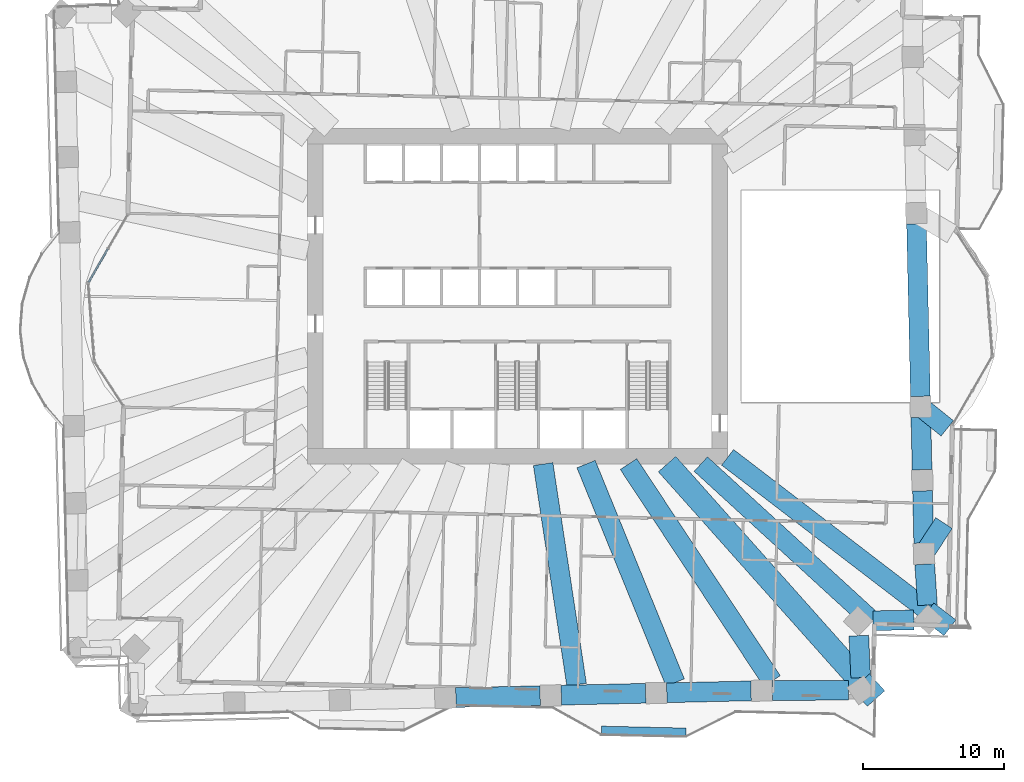
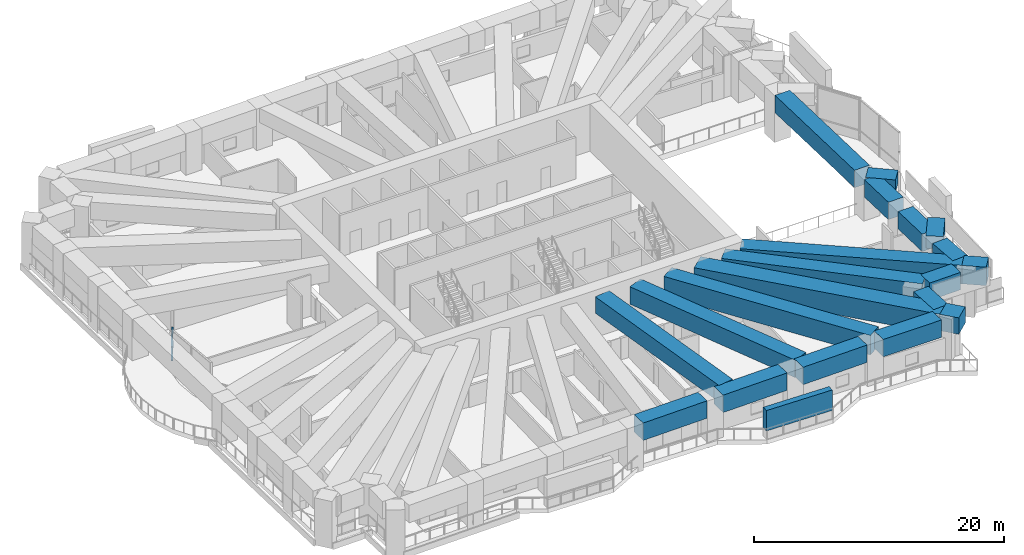
# One storey, part 3 of 20: 20 beams, 3 members, 1 element without a shape of its own.
"""IFC4 building model written with IfcOpenShell, lengths in metres."""

from ifc_helpers import new_model, si_unit, direction, frame, origin, origin_2d, place, context, subcontext, project, spatial, rectangle, extrude, material, material_profile, profile_set, type_object, element, aggregate, save


model = new_model("IFC4")

# Units and contexts
model_context = context("Model", 3, precision=1e-05, world=origin(), true_north=direction((0.0, 1.0)))
body_context = subcontext(model_context, "Body", "Model", "MODEL_VIEW")
ifc_project = project(units=[si_unit("LENGTHUNIT", "METRE"), si_unit("AREAUNIT", "SQUARE_METRE"), si_unit("VOLUMEUNIT", "CUBIC_METRE"), si_unit("PLANEANGLEUNIT", "RADIAN"), si_unit("MASSUNIT", "GRAM", prefix="KILO")], contexts=[model_context])

# Site, building, storey
site_placement = place(None, origin())
site = spatial("IfcSite", under=ifc_project, at=site_placement, CompositionType="ELEMENT")
building_placement = place(site_placement, origin())
building = spatial("IfcBuilding", under=site, at=building_placement, Name="Mangrove Gate Tower", CompositionType="ELEMENT")
storey_placement = place(building_placement, frame((0.0, 0.0, 52.10009765625)))
storey = spatial("IfcBuildingStorey", under=building, at=storey_placement, Name="L12", CompositionType="ELEMENT", Elevation=52.10009765625)

# Member
ifc_material_1 = material(Name="Planting on aluminium trellis", Category="aluminium")
ifc_material_profile_1 = material_profile(ifc_material_1, rectangle(XDim=0.550048828125, YDim=2.0, at=origin_2d()))
ifc_profile_set_1 = profile_set([ifc_material_profile_1], Name="Planting on aluminium trellis")
member_type_1 = type_object("IfcMemberType", Name="Balcony greenery screen 550x2000", PredefinedType="USERDEFINED", material=ifc_profile_set_1)
member_1_placement = place(storey_placement, frame((5.93994140625, -30.77099609375, 1.7998046875), z_axis=(0.999743178102, -0.022662255828, 0.0), x_axis=(0.022662255828, 0.999743178102, 0.0)))
element("IfcMember", 1, at=member_1_placement, inside=storey, type_object=member_type_1, Name="GREEN SCREEN L12 S1.1", ObjectType="PLANTING", PredefinedType="USERDEFINED", context=body_context, shape_type="SweptSolid", body=[
    extrude(rectangle(XDim=0.550048828125, YDim=2.0, at=origin_2d()), origin(), (0.0, 0.0, 1.0), 6.00048828125),
])

# Curtain wall, members
ifc_material_2 = material(Name="Aluminium and glass curtain wall", Category="aluminium")
curtain_wall_type = type_object("IfcCurtainWallType", Name="Sky-lounge glazing wall", PredefinedType="NOTDEFINED", material=ifc_material_2)
curtain_wall_placement = place(storey_placement, origin())
curtain_wall = element("IfcCurtainWall", 2, at=curtain_wall_placement, inside=storey, type_object=curtain_wall_type, Name="Sky-lounge glazing W9f1", PredefinedType="NOTDEFINED")
ifc_material_3 = material(Name="Aluminium alloy 6063-T6", Category="aluminium")
ifc_material_profile_2 = material_profile(ifc_material_3, rectangle(XDim=0.06005859375, YDim=0.139892578125, at=origin_2d()))
ifc_profile_set_2 = profile_set([ifc_material_profile_2], Name="Aluminium alloy 6063-T6")
member_type_2 = type_object("IfcMemberType", Name="Sky-lounge glazing transom 60x140", PredefinedType="USERDEFINED", material=ifc_profile_set_2)
member_2_placement = place(storey_placement, frame((-29.082275390625, 3.3681640625, 1.0), z_axis=(-0.500426524989, -0.865779009382, 0.0), x_axis=(0.0, 0.0, 1.0)))
member_2 = element("IfcMember", 3, at=member_2_placement, type_object=member_type_2, Name="CWK transom 2.2", ObjectType="TRANSOM", PredefinedType="USERDEFINED", context=body_context, shape_type="SweptSolid", body=[
    extrude(rectangle(XDim=0.06005859375, YDim=0.139892578125, at=origin_2d()), origin(), (0.0, 0.0, 1.0), 2.73095703125),
])
member_3_placement = place(storey_placement, frame((-29.082275390625, 3.3681640625, 2.31982421875), z_axis=(-0.500426524989, -0.865779009382, 0.0), x_axis=(0.0, 0.0, 1.0)))
member_3 = element("IfcMember", 4, at=member_3_placement, type_object=member_type_2, Name="CWK transom 2.3", ObjectType="TRANSOM", PredefinedType="USERDEFINED", context=body_context, shape_type="SweptSolid", body=[
    extrude(rectangle(XDim=0.06005859375, YDim=0.139892578125, at=origin_2d()), origin(), (0.0, 0.0, 1.0), 2.73095703125),
])
aggregate(curtain_wall, [member_2, member_3])

# Beams
ifc_material_4 = material(Name="Concrete C70/85", Category="concrete")
ifc_material_profile_3 = material_profile(ifc_material_4, rectangle(XDim=1.39990234375, YDim=1.199951171875, at=origin_2d()))
ifc_profile_set_3 = profile_set([ifc_material_profile_3], Name="Concrete C70/85")
beam_type_1 = type_object("IfcBeamType", Name="Transfer girder RC 1400x1200 C70/85", PredefinedType="BEAM", material=ifc_profile_set_3)
beam_1_placement = place(storey_placement, frame((28.834228515625, -18.256103515625, 3.449951171875), z_axis=(0.548450833454, 0.836182804944, 0.0), x_axis=(-0.836182804944, 0.548450833454, 0.0)))
element("IfcBeam", 5, at=beam_1_placement, inside=storey, type_object=beam_type_1, Name="Transfer edge girder L12 15", PredefinedType="BEAM", context=body_context, shape_type="SweptSolid", body=[
    extrude(rectangle(XDim=1.39990234375, YDim=1.199951171875, at=origin_2d()), origin(), (0.0, 0.0, 1.0), 2.59375),
])
beam_2_placement = place(storey_placement, frame((28.59814453125, -7.842041015625, 3.449951171875), z_axis=(0.778557306126, -0.627573518465, 0.0), x_axis=(0.627573518465, 0.778557306126, 0.0)))
element("IfcBeam", 6, at=beam_2_placement, inside=storey, type_object=beam_type_1, Name="Transfer edge girder L12 16", PredefinedType="BEAM", context=body_context, shape_type="SweptSolid", body=[
    extrude(rectangle(XDim=1.39990234375, YDim=1.199951171875, at=origin_2d()), origin(), (0.0, 0.0, 1.0), 2.427001953125),
])
ifc_material_5 = material(Name="Concrete C70/85", Category="concrete")
ifc_material_profile_4 = material_profile(ifc_material_5, rectangle(XDim=1.39990234375, YDim=1.60009765625, at=origin_2d()))
ifc_profile_set_4 = profile_set([ifc_material_profile_4], Name="Concrete C70/85")
beam_type_2 = type_object("IfcBeamType", Name="Transfer girder RC 1400x1600 C70/85", PredefinedType="BEAM", material=ifc_profile_set_4)
beam_3_placement = place(storey_placement, frame((1.807373046875, -11.89990234375, 3.25), z_axis=(0.150158738185, -0.988661900422, 0.0), x_axis=(0.988661900422, 0.150158738185, 0.0)))
element("IfcBeam", 7, at=beam_3_placement, inside=storey, type_object=beam_type_2, Name="Transfer girder L12 09", PredefinedType="BEAM", context=body_context, shape_type="SweptSolid", body=[
    extrude(rectangle(XDim=1.39990234375, YDim=1.60009765625, at=origin_2d()), origin(), (0.0, 0.0, 1.0), 15.841064453125),
])
ifc_material_6 = material(Name="Concrete C70/85", Category="concrete")
ifc_material_profile_5 = material_profile(ifc_material_6, rectangle(XDim=1.39990234375, YDim=1.699951171875, at=origin_2d()))
ifc_profile_set_5 = profile_set([ifc_material_profile_5], Name="Concrete C70/85")
beam_type_3 = type_object("IfcBeamType", Name="Transfer girder RC 1400x1700 C70/85", PredefinedType="BEAM", material=ifc_profile_set_5)
for number, where, z_axis, x_axis, name in (
    (8, (-4.38525390625, -28.47021484375, 3.199951171875), (0.999741919763, 0.022717699466, 0.0), (-0.022717699466, 0.999741919763, 0.0), "Transfer ring girder L12 08"),
    (9, (3.098876953125, -28.300048828125, 3.199951171875), (0.999742845253, 0.022676934643, 0.0), (-0.022676934643, 0.999742845253, 0.0), "Transfer ring girder L12 09"),
):
    element("IfcBeam", number, at=place(storey_placement, frame(where, z_axis=z_axis, x_axis=x_axis)), inside=storey, type_object=beam_type_3, Name=name, PredefinedType="BEAM", context=body_context, shape_type="SweptSolid", body=[
        extrude(rectangle(XDim=1.39990234375, YDim=1.699951171875, at=origin_2d()), origin(), (0.0, 0.0, 1.0), 5.98583984375),
    ])
beam_4_placement = place(storey_placement, frame((10.582763671875, -28.130126953125, 3.199951171875), z_axis=(0.999741835545, 0.022721405353, 0.0), x_axis=(-0.022721405353, 0.999741835545, 0.0)))
element("IfcBeam", 10, at=beam_4_placement, inside=storey, type_object=beam_type_3, Name="Transfer ring girder L12 10", PredefinedType="BEAM", context=body_context, shape_type="SweptSolid", body=[
    extrude(rectangle(XDim=1.39990234375, YDim=1.699951171875, at=origin_2d()), origin(), (0.0, 0.0, 1.0), 5.98486328125),
])
beam_5_placement = place(storey_placement, frame((18.066162109375, -27.9736328125, 3.199951171875), z_axis=(0.99998897546, 0.004695631815, 0.0), x_axis=(-0.004695631815, 0.99998897546, 0.0)))
element("IfcBeam", 11, at=beam_5_placement, inside=storey, type_object=beam_type_3, Name="Transfer ring girder L12 11", PredefinedType="BEAM", context=body_context, shape_type="SweptSolid", body=[
    extrude(rectangle(XDim=1.39990234375, YDim=1.699951171875, at=origin_2d()), origin(), (0.0, 0.0, 1.0), 5.4072265625),
])
beam_6_placement = place(storey_placement, frame((24.345703125, -27.056396484375, 3.199951171875), z_axis=(-0.045752937925, 0.998952786007, 0.0), x_axis=(-0.998952786007, -0.045752937925, 0.0)))
element("IfcBeam", 12, at=beam_6_placement, inside=storey, type_object=beam_type_3, Name="Transfer ring girder L12 12", PredefinedType="BEAM", context=body_context, shape_type="SweptSolid", body=[
    extrude(rectangle(XDim=1.39990234375, YDim=1.699951171875, at=origin_2d()), origin(), (0.0, 0.0, 1.0), 2.98291015625),
])
beam_7_placement = place(storey_placement, frame((25.219970703125, -23.01904296875, 3.199951171875), z_axis=(0.999788078566, 0.020586353685, 0.0), x_axis=(-0.020586353685, 0.999788078566, 0.0)))
element("IfcBeam", 13, at=beam_7_placement, inside=storey, type_object=beam_type_3, Name="Transfer ring girder L12 13", PredefinedType="BEAM", context=body_context, shape_type="SweptSolid", body=[
    extrude(rectangle(XDim=1.39990234375, YDim=1.699951171875, at=origin_2d()), origin(), (0.0, 0.0, 1.0), 2.893798828125),
])
beam_8_placement = place(storey_placement, frame((29.08056640625, -21.904541015625, 3.199951171875), z_axis=(-0.067377693501, 0.997727541175, 0.0), x_axis=(-0.997727541175, -0.067377693501, 0.0)))
element("IfcBeam", 14, at=beam_8_placement, inside=storey, type_object=beam_type_3, Name="Transfer ring girder L12 14", PredefinedType="BEAM", context=body_context, shape_type="SweptSolid", body=[
    extrude(rectangle(XDim=1.39990234375, YDim=1.699951171875, at=origin_2d()), origin(), (0.0, 0.0, 1.0), 2.906005859375),
])
beam_9_placement = place(storey_placement, frame((28.817138671875, -17.50634765625, 3.199951171875), z_axis=(-0.022646633415, 0.99974353211, 0.0), x_axis=(-0.99974353211, -0.022646633415, 0.0)))
element("IfcBeam", 15, at=beam_9_placement, inside=storey, type_object=beam_type_3, Name="Transfer ring girder L12 15", PredefinedType="BEAM", context=body_context, shape_type="SweptSolid", body=[
    extrude(rectangle(XDim=1.39990234375, YDim=1.699951171875, at=origin_2d()), origin(), (0.0, 0.0, 1.0), 3.70849609375),
])
beam_10_placement = place(storey_placement, frame((28.69921875, -12.299072265625, 3.199951171875), z_axis=(-0.022648124032, 0.999743498342, 0.0), x_axis=(-0.999743498342, -0.022648124032, 0.0)))
element("IfcBeam", 16, at=beam_10_placement, inside=storey, type_object=beam_type_3, Name="Transfer ring girder L12 16", PredefinedType="BEAM", context=body_context, shape_type="SweptSolid", body=[
    extrude(rectangle(XDim=1.39990234375, YDim=1.699951171875, at=origin_2d()), origin(), (0.0, 0.0, 1.0), 3.708251953125),
])
beam_11_placement = place(storey_placement, frame((28.5810546875, -7.09228515625, 3.199951171875), z_axis=(-0.022678852378, 0.999742801752, 0.0), x_axis=(-0.999742801752, -0.022678852378, 0.0)))
element("IfcBeam", 17, at=beam_11_placement, inside=storey, type_object=beam_type_3, Name="Transfer ring girder L12 17", PredefinedType="BEAM", context=body_context, shape_type="SweptSolid", body=[
    extrude(rectangle(XDim=1.39990234375, YDim=1.699951171875, at=origin_2d()), origin(), (0.0, 0.0, 1.0), 12.250732421875),
])
beam_12_placement = place(storey_placement, frame((4.855224609375, -11.89990234375, 3.199951171875), z_axis=(0.37775851565, -0.925904154788, 0.0), x_axis=(0.925904154788, 0.37775851565, 0.0)))
element("IfcBeam", 18, at=beam_12_placement, inside=storey, type_object=beam_type_3, Name="Transfer girder L12 10", PredefinedType="BEAM", context=body_context, shape_type="SweptSolid", body=[
    extrude(rectangle(XDim=1.39990234375, YDim=1.699951171875, at=origin_2d()), origin(), (0.0, 0.0, 1.0), 16.747314453125),
])
beam_13_placement = place(storey_placement, frame((12.99755859375, -11.89990234375, 3.199951171875), z_axis=(0.737560772286, -0.675280761746, 0.0), x_axis=(0.675280761746, 0.737560772286, 0.0)))
element("IfcBeam", 19, at=beam_13_placement, inside=storey, type_object=beam_type_3, Name="Transfer girder L12 13", PredefinedType="BEAM", context=body_context, shape_type="SweptSolid", body=[
    extrude(rectangle(XDim=1.39990234375, YDim=1.699951171875, at=origin_2d()), origin(), (0.0, 0.0, 1.0), 16.468017578125),
])
ifc_material_7 = material(Name="Concrete C70/85", Category="concrete")
ifc_material_profile_6 = material_profile(ifc_material_7, rectangle(XDim=1.39990234375, YDim=1.800048828125, at=origin_2d()))
ifc_profile_set_6 = profile_set([ifc_material_profile_6], Name="Concrete C70/85")
beam_type_4 = type_object("IfcBeamType", Name="Transfer girder RC 1400x1800 C70/85", PredefinedType="BEAM", material=ifc_profile_set_6)
beam_14_placement = place(storey_placement, frame((14.89990234375, -11.422119140625, 3.14990234375), z_axis=(0.793637308522, -0.608391175578, 0.0), x_axis=(0.608391175578, 0.793637308522, 0.0)))
element("IfcBeam", 20, at=beam_14_placement, inside=storey, type_object=beam_type_4, Name="Transfer girder L12 14", PredefinedType="BEAM", context=body_context, shape_type="SweptSolid", body=[
    extrude(rectangle(XDim=1.39990234375, YDim=1.800048828125, at=origin_2d()), origin(), (0.0, 0.0, 1.0), 17.902587890625),
])
beam_15_placement = place(storey_placement, frame((29.108154296875, -22.31396484375, 3.14990234375), z_axis=(0.793614309798, -0.6084211759, 0.0), x_axis=(0.6084211759, 0.793614309798, 0.0)))
element("IfcBeam", 21, at=beam_15_placement, inside=storey, type_object=beam_type_4, Name="Transfer cantilever girder L12 14", PredefinedType="BEAM", context=body_context, shape_type="SweptSolid", body=[
    extrude(rectangle(XDim=1.39990234375, YDim=1.800048828125, at=origin_2d()), origin(), (0.0, 0.0, 1.0), 1.9775390625),
])
ifc_material_8 = material(Name="Concrete C70/85", Category="concrete")
ifc_material_profile_7 = material_profile(ifc_material_8, rectangle(XDim=1.39990234375, YDim=1.89990234375, at=origin_2d()))
ifc_profile_set_7 = profile_set([ifc_material_profile_7], Name="Concrete C70/85")
beam_type_5 = type_object("IfcBeamType", Name="Transfer girder RC 1400x1900 C70/85", PredefinedType="BEAM", material=ifc_profile_set_7)
beam_16_placement = place(storey_placement, frame((7.867919921875, -11.89990234375, 3.099853515625), z_axis=(0.551510981754, -0.834167631238, 0.0), x_axis=(0.834167631238, 0.551510981754, 0.0)))
element("IfcBeam", 22, at=beam_16_placement, inside=storey, type_object=beam_type_5, Name="Transfer girder L12 11", PredefinedType="BEAM", context=body_context, shape_type="SweptSolid", body=[
    extrude(rectangle(XDim=1.39990234375, YDim=1.89990234375, at=origin_2d()), origin(), (0.0, 0.0, 1.0), 18.466552734375),
])
ifc_material_9 = material(Name="Concrete C70/85", Category="concrete")
ifc_material_profile_8 = material_profile(ifc_material_9, rectangle(XDim=1.64990234375, YDim=1.60009765625, at=origin_2d()))
ifc_profile_set_8 = profile_set([ifc_material_profile_8], Name="Concrete C70/85")
beam_type_6 = type_object("IfcBeamType", Name="Transfer girder RC 1650x1600 C70/85", PredefinedType="BEAM", material=ifc_profile_set_8)
beam_17_placement = place(storey_placement, frame((24.358642578125, -27.33740234375, 3.25), z_axis=(0.665218315835, -0.746648908308, 0.0), x_axis=(0.746648908308, 0.665218315835, 0.0)))
element("IfcBeam", 23, at=beam_17_placement, inside=storey, type_object=beam_type_6, Name="Transfer cantilever girder L12 12", PredefinedType="BEAM", context=body_context, shape_type="SweptSolid", body=[
    extrude(rectangle(XDim=1.64990234375, YDim=1.60009765625, at=origin_2d()), origin(), (0.0, 0.0, 1.0), 1.613037109375),
])
ifc_material_10 = material(Name="Concrete C70/85", Category="concrete")
ifc_material_profile_9 = material_profile(ifc_material_10, rectangle(XDim=1.64990234375, YDim=1.949951171875, at=origin_2d()))
ifc_profile_set_9 = profile_set([ifc_material_profile_9], Name="Concrete C70/85")
beam_type_7 = type_object("IfcBeamType", Name="Transfer girder RC 1650x1950 C70/85", PredefinedType="BEAM", material=ifc_profile_set_9)
beam_18_placement = place(storey_placement, frame((10.603271484375, -11.89990234375, 3.074951171875), z_axis=(0.665258941448, -0.746612711399, 0.0), x_axis=(0.746612711399, 0.665258941448, 0.0)))
element("IfcBeam", 24, at=beam_18_placement, inside=storey, type_object=beam_type_7, Name="Transfer girder L12 12", PredefinedType="BEAM", context=body_context, shape_type="SweptSolid", body=[
    extrude(rectangle(XDim=1.64990234375, YDim=1.949951171875, at=origin_2d()), origin(), (0.0, 0.0, 1.0), 20.6767578125),
])

save(model, "model.ifc")
